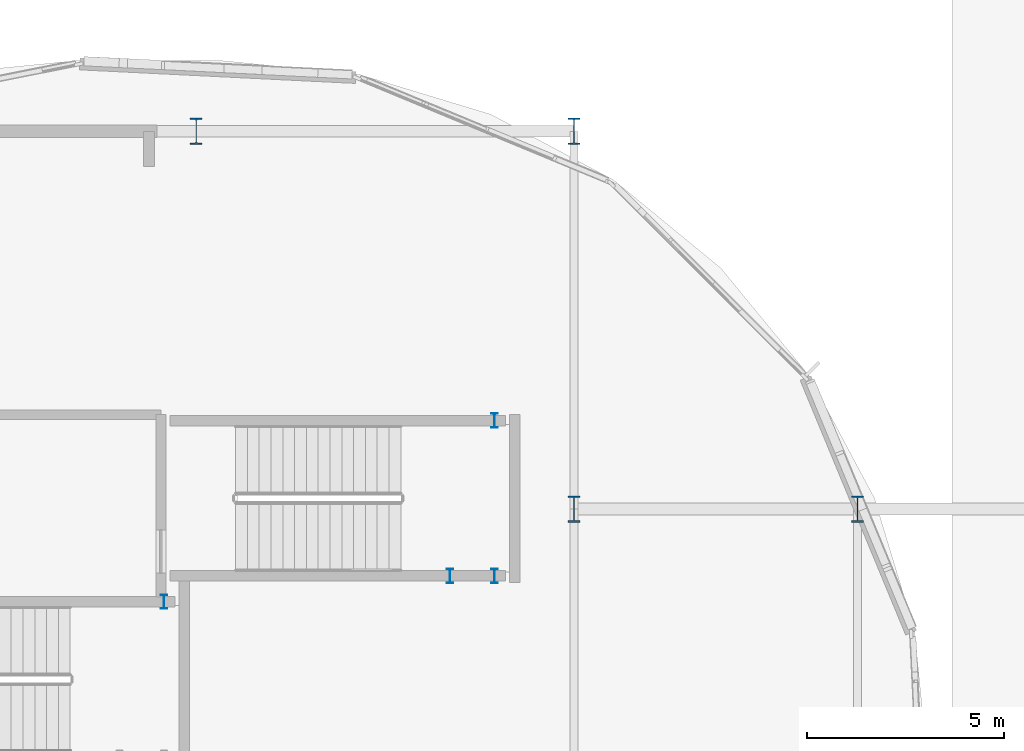
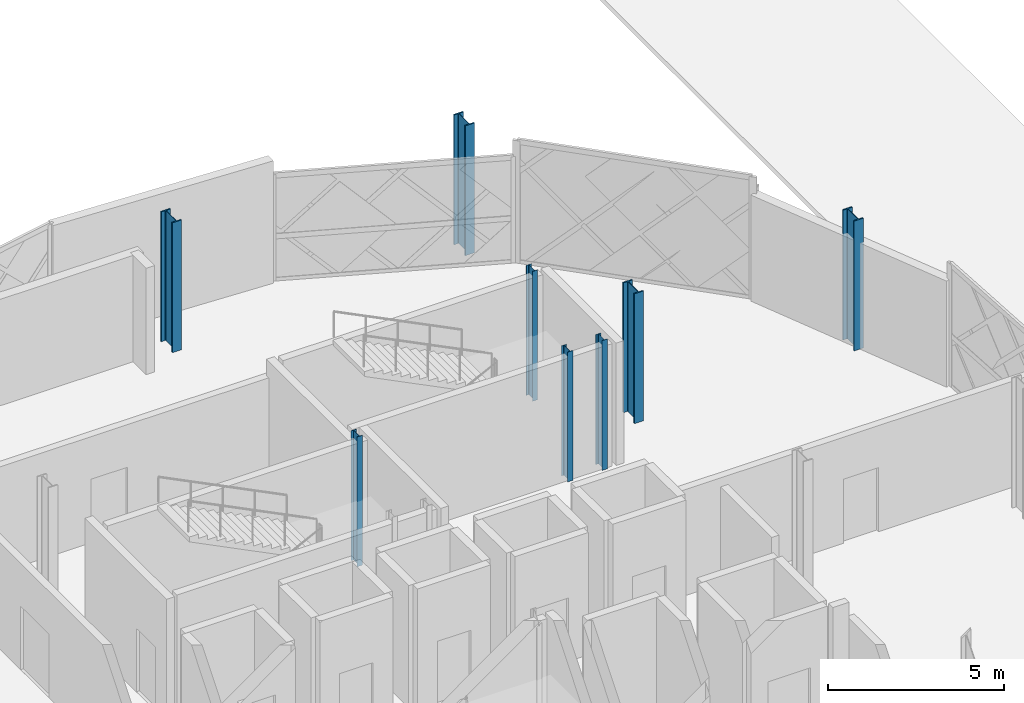
# One storey, part 19 of 101: 8 columns.
"""IFC4 building model written with IfcOpenShell, lengths in metres."""

from ifc_helpers import new_model, si_unit, direction, frame, origin, origin_2d, place, context, subcontext, project, spatial, i_section, extrude, material, material_profile, profile_set, type_object, element, save


model = new_model("IFC4")

# Units and contexts
model_context = context("Model", 3, precision=1e-05, world=origin(), true_north=direction((0.0, 1.0)))
body_context = subcontext(model_context, "Body", "Model", "MODEL_VIEW")
ifc_project = project(units=[si_unit("LENGTHUNIT", "METRE"), si_unit("AREAUNIT", "SQUARE_METRE"), si_unit("VOLUMEUNIT", "CUBIC_METRE"), si_unit("PLANEANGLEUNIT", "RADIAN"), si_unit("MASSUNIT", "GRAM", prefix="KILO")], contexts=[model_context])

# Site, building, storey
site_placement = place(None, origin())
site = spatial("IfcSite", under=ifc_project, at=site_placement, CompositionType="ELEMENT")
building_placement = place(site_placement, origin())
building = spatial("IfcBuilding", under=site, at=building_placement, Name="Zevrakil Square Congress Hotel", CompositionType="ELEMENT")
storey_placement = place(building_placement, frame((0.0, 0.0, 5.39990234375)))
storey = spatial("IfcBuildingStorey", under=building, at=storey_placement, Name="L02", CompositionType="ELEMENT", Elevation=5.39990234375)

# Columns
ifc_material_1 = material(Name="Steel S355", Category="steel")
ifc_material_profile_1 = material_profile(ifc_material_1, i_section(OverallWidth=0.304931640625, OverallDepth=0.66796875, WebThickness=0.02099609375, FlangeThickness=0.0400390625, FilletRadius=0.027099609375, at=origin_2d()), Name="HEM 650")
ifc_profile_set_1 = profile_set([ifc_material_profile_1], Name="Steel S355")
column_type_1 = type_object("IfcColumnType", Name="COL-HEM650", PredefinedType="COLUMN", material=ifc_profile_set_1)
for number, where, z_axis, x_axis, name in (
    (1, (146.39990234375, 45.60009765625, 0.0), (0.0, 0.0, 1.0), (1.0, 0.0, 0.0), "L02 column C-216"),
    (2, (156.0, 36.0, 0.0), (0.0, 0.0, 1.0), (1.0, 0.0, 0.0), "L02 column C-224"),
    (3, (156.0, 45.60009765625, 0.0), (0.0, 0.0, 1.0), (1.0, 0.0, 0.0), "L02 column C-225"),
    (4, (163.199951171875, 36.0, 0.0), (0.0, 0.0, 1.0), (1.0, 0.0, 0.0), "L02 column C-232"),
):
    element("IfcColumn", number, at=place(storey_placement, frame(where, z_axis=z_axis, x_axis=x_axis)), inside=storey, type_object=column_type_1, Name=name, PredefinedType="COLUMN", context=body_context, shape_type="SweptSolid", body=[
        extrude(i_section(OverallWidth=0.304931640625, OverallDepth=0.66796875, WebThickness=0.02099609375, FlangeThickness=0.0400390625, FilletRadius=0.027099609375, at=origin_2d()), origin(), (0.0, 0.0, 1.0), 4.5),
    ])
ifc_material_2 = material(Name="Steel S355", Category="steel")
ifc_material_profile_2 = material_profile(ifc_material_2, i_section(OverallWidth=0.169921875, OverallDepth=0.360107421875, WebThickness=0.008056640625, FlangeThickness=0.0126953125, FilletRadius=0.01806640625, at=origin_2d()), Name="IPE 360")
ifc_profile_set_2 = profile_set([ifc_material_profile_2], Name="Steel S355")
column_type_2 = type_object("IfcColumnType", Name="COL-PILASTER-SHS180", PredefinedType="PILASTER", material=ifc_profile_set_2)
for number, where, z_axis, x_axis, name in (
    (5, (145.580078125, 33.64990234375, 0.0), (0.0, 0.0, 1.0), (1.0, 0.0, 0.0), "L02 ST02 stair shaft post 3"),
    (6, (152.85009765625, 34.300048828125, 0.0), (0.0, 0.0, 1.0), (1.0, 0.0, 0.0), "L02 ST03 stair shaft post 1"),
    (7, (153.97998046875, 34.300048828125, 0.0), (0.0, 0.0, 1.0), (1.0, 0.0, 0.0), "L02 ST03 stair shaft post 2"),
    (8, (153.97998046875, 38.25, 0.0), (0.0, 0.0, 1.0), (1.0, 0.0, 0.0), "L02 ST03 stair shaft post 3"),
):
    element("IfcColumn", number, at=place(storey_placement, frame(where, z_axis=z_axis, x_axis=x_axis)), inside=storey, type_object=column_type_2, Name=name, PredefinedType="PILASTER", context=body_context, shape_type="SweptSolid", body=[
        extrude(i_section(OverallWidth=0.169921875, OverallDepth=0.360107421875, WebThickness=0.008056640625, FlangeThickness=0.0126953125, FilletRadius=0.01806640625, at=origin_2d()), origin(), (0.0, 0.0, 1.0), 4.5),
    ])

save(model, "model.ifc")
